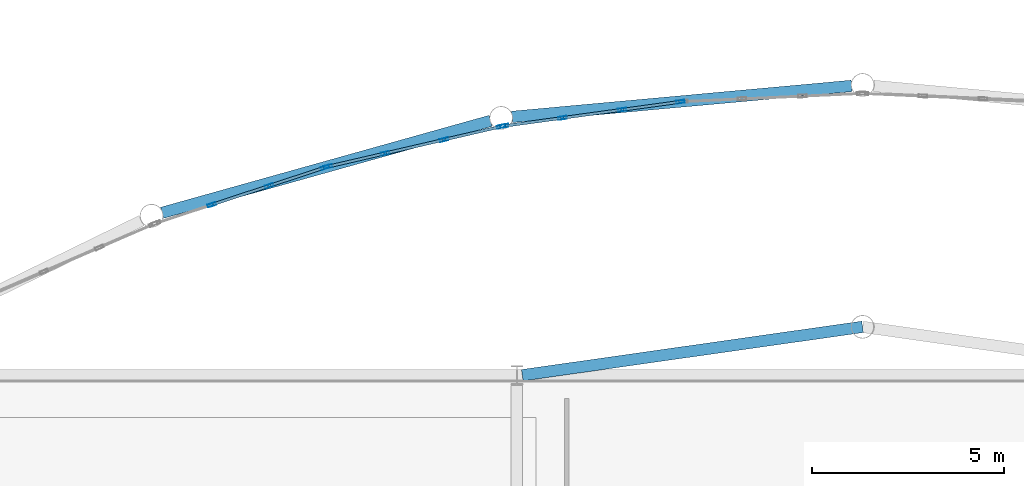
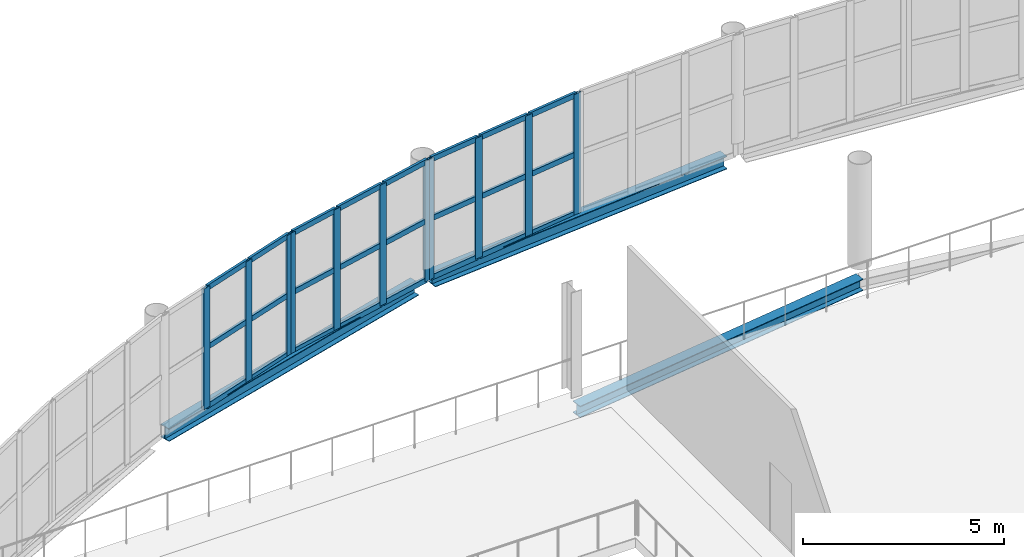
# One storey, part 70 of 134: 35 members, 3 beams, 3 elements without a shape of their own.
"""IFC4 building model written with IfcOpenShell, lengths in metres."""

from ifc_helpers import new_model, si_unit, direction, frame, origin, origin_2d, place, context, subcontext, project, spatial, hollow_rectangle, i_section, extrude, material, layer, layer_set, material_profile, profile_set, type_object, element, aggregate, save


model = new_model("IFC4")

# Units and contexts
model_context = context("Model", 3, precision=1e-05, world=origin(), true_north=direction((0.0, 1.0)))
body_context = subcontext(model_context, "Body", "Model", "MODEL_VIEW")
ifc_project = project(units=[si_unit("LENGTHUNIT", "METRE"), si_unit("AREAUNIT", "SQUARE_METRE"), si_unit("VOLUMEUNIT", "CUBIC_METRE"), si_unit("PLANEANGLEUNIT", "RADIAN"), si_unit("MASSUNIT", "GRAM", prefix="KILO")], contexts=[model_context])

# Site, building, storey
site_placement = place(None, origin())
site = spatial("IfcSite", under=ifc_project, at=site_placement, CompositionType="ELEMENT")
building_placement = place(site_placement, origin())
building = spatial("IfcBuilding", under=site, at=building_placement, Name="Tamarisk Ironworks Central Station", CompositionType="ELEMENT")
storey_placement = place(building_placement, frame((0.0, 0.0, 12.60009765625)))
storey = spatial("IfcBuildingStorey", under=building, at=storey_placement, Name="L02", CompositionType="ELEMENT", Elevation=12.60009765625)

# Beams
ifc_material_1 = material(Name="Structural steel S355J2", Category="steel")
ifc_material_profile_1 = material_profile(ifc_material_1, i_section(OverallWidth=0.300048828125, OverallDepth=0.389892578125, WebThickness=0.010986328125, FlangeThickness=0.01904296875, at=origin_2d()), Name="HEA 400")
ifc_profile_set_1 = profile_set([ifc_material_profile_1], Name="Structural steel S355J2")
beam_type_1 = type_object("IfcBeamType", Name="BM-G07", PredefinedType="BEAM", material=ifc_profile_set_1)
beam_1_placement = place(storey_placement, frame((62.76318359375, 115.829345703125, -0.5751953125), z_axis=(0.962975154525, 0.269590155174, 0.0), x_axis=(-0.269590155174, 0.962975154525, 0.0)))
element("IfcBeam", 1, at=beam_1_placement, inside=storey, type_object=beam_type_1, Name="NN rounded nose L02 chord girder 028", PredefinedType="BEAM", context=body_context, shape_type="SweptSolid", body=[
    extrude(i_section(OverallWidth=0.300048828125, OverallDepth=0.389892578125, WebThickness=0.010986328125, FlangeThickness=0.01904296875, at=origin_2d()), origin(), (0.0, 0.0, 1.0), 8.88037109375),
])
beam_2_placement = place(storey_placement, frame((71.872802734375, 118.326171875, -0.5751953125), z_axis=(0.995863406654, 0.090862947823, 0.0), x_axis=(-0.090862947823, 0.995863406654, 0.0)))
element("IfcBeam", 2, at=beam_2_placement, inside=storey, type_object=beam_type_1, Name="NN rounded nose L02 chord girder 030", PredefinedType="BEAM", context=body_context, shape_type="SweptSolid", body=[
    extrude(i_section(OverallWidth=0.300048828125, OverallDepth=0.389892578125, WebThickness=0.010986328125, FlangeThickness=0.01904296875, at=origin_2d()), origin(), (0.0, 0.0, 1.0), 8.880126953125),
])
ifc_material_profile_2 = material_profile(ifc_material_1, i_section(OverallWidth=0.300048828125, OverallDepth=0.35009765625, WebThickness=0.010009765625, FlangeThickness=0.017578125, at=origin_2d()), Name="HEA 360")
ifc_profile_set_2 = profile_set([ifc_material_profile_2], Name="Structural steel S355J2")
beam_type_2 = type_object("IfcBeamType", Name="BM-G08", PredefinedType="BEAM", material=ifc_profile_set_2)
beam_3_placement = place(storey_placement, frame((72.139892578125, 111.60009765625, -0.580078125), z_axis=(0.990038775739, 0.140794966289, 0.0), x_axis=(-0.140794966289, 0.990038775739, 0.0)))
element("IfcBeam", 3, at=beam_3_placement, inside=storey, type_object=beam_type_2, Name="NN arch crown tie beam 039", PredefinedType="BEAM", context=body_context, shape_type="SweptSolid", body=[
    extrude(i_section(OverallWidth=0.300048828125, OverallDepth=0.35009765625, WebThickness=0.010009765625, FlangeThickness=0.017578125, at=origin_2d()), origin(), (0.0, 0.0, 1.0), 8.94921875),
])

# Curtain wall, members
ifc_material_2 = material(Name="Anodized aluminium alloy 6063-T6", Category="aluminium")
ifc_layer = layer(ifc_material_2, 0.179931640625)
ifc_layer_set = layer_set([ifc_layer], Name="Anodized aluminium alloy 6063-T6")
curtain_wall_type = type_object("IfcCurtainWallType", Name="CW-03", PredefinedType="USERDEFINED", material=ifc_layer_set)
curtain_wall_1_placement = place(storey_placement, origin())
curtain_wall_1 = element("IfcCurtainWall", 4, at=curtain_wall_1_placement, inside=storey, type_object=curtain_wall_type, Name="NN rounded entrance hall L02 curtain wall bay 03", ObjectType="GLAZED CURTAIN WALL", PredefinedType="USERDEFINED")
ifc_material_profile_3 = material_profile(ifc_material_2, hollow_rectangle(XDim=0.074951171875, YDim=0.219970703125, WallThickness=0.00390625, at=origin_2d()), Name="ALUM 220x75")
ifc_profile_set_3 = profile_set([ifc_material_profile_3], Name="Anodized aluminium alloy 6063-T6")
member_type_1 = type_object("IfcMemberType", Name="CWM-01", PredefinedType="MULLION", material=ifc_profile_set_3)
member_1_placement = place(storey_placement, frame((64.05908203125, 116.038818359375, -0.385009765625), z_axis=(0.0, 0.0, 1.0), x_axis=(-0.313098460171, 0.949720671692, 0.0)))
member_1 = element("IfcMember", 5, at=member_1_placement, type_object=member_type_1, Name="CW03 mullion 2", PredefinedType="MULLION", context=body_context, shape_type="SweptSolid", body=[
    extrude(hollow_rectangle(XDim=0.074951171875, YDim=0.219970703125, WallThickness=0.00390625, at=origin_2d()), origin(), (0.0, 0.0, 1.0), 3.664794921875),
])
member_2_placement = place(storey_placement, frame((65.550048828125, 116.530517578125, -0.385009765625), z_axis=(0.0, 0.0, 1.0), x_axis=(-0.313098460171, 0.949720671692, 0.0)))
member_2 = element("IfcMember", 6, at=member_2_placement, type_object=member_type_1, Name="CW03 mullion 3", PredefinedType="MULLION", context=body_context, shape_type="SweptSolid", body=[
    extrude(hollow_rectangle(XDim=0.074951171875, YDim=0.219970703125, WallThickness=0.00390625, at=origin_2d()), origin(), (0.0, 0.0, 1.0), 3.664794921875),
])
member_3_placement = place(storey_placement, frame((67.00537109375, 117.01025390625, -0.385009765625), z_axis=(0.0, 0.0, 1.0), x_axis=(-0.313098460171, 0.949720671692, 0.0)))
member_3 = element("IfcMember", 7, at=member_3_placement, type_object=member_type_1, Name="CW03 mullion 4", PredefinedType="MULLION", context=body_context, shape_type="SweptSolid", body=[
    extrude(hollow_rectangle(XDim=0.074951171875, YDim=0.219970703125, WallThickness=0.00390625, at=origin_2d()), origin(), (0.0, 0.0, 1.0), 3.664794921875),
])

curtain_wall_2_placement = place(storey_placement, origin())
curtain_wall_2 = element("IfcCurtainWall", 8, at=curtain_wall_2_placement, inside=storey, type_object=curtain_wall_type, Name="NN rounded entrance hall L02 curtain wall bay 04", ObjectType="GLAZED CURTAIN WALL", PredefinedType="USERDEFINED")
member_4_placement = place(storey_placement, frame((67.07763671875, 117.030517578125, -0.385009765625), z_axis=(0.0, 0.0, 1.0), x_axis=(-0.225516966506, 0.974239240545, 0.0)))
member_4 = element("IfcMember", 9, at=member_4_placement, type_object=member_type_1, Name="CW03 mullion 1", PredefinedType="MULLION", context=body_context, shape_type="SweptSolid", body=[
    extrude(hollow_rectangle(XDim=0.074951171875, YDim=0.219970703125, WallThickness=0.00390625, at=origin_2d()), origin(), (0.0, 0.0, 1.0), 3.664794921875),
])
member_5_placement = place(storey_placement, frame((68.570556640625, 117.3759765625, -0.385009765625), z_axis=(0.0, 0.0, 1.0), x_axis=(-0.225516966506, 0.974239240545, 0.0)))
member_5 = element("IfcMember", 10, at=member_5_placement, type_object=member_type_1, Name="CW03 mullion 2", PredefinedType="MULLION", context=body_context, shape_type="SweptSolid", body=[
    extrude(hollow_rectangle(XDim=0.074951171875, YDim=0.219970703125, WallThickness=0.00390625, at=origin_2d()), origin(), (0.0, 0.0, 1.0), 3.664794921875),
])
member_6_placement = place(storey_placement, frame((70.099853515625, 117.72998046875, -0.385009765625), z_axis=(0.0, 0.0, 1.0), x_axis=(-0.225516966506, 0.974239240545, 0.0)))
member_6 = element("IfcMember", 11, at=member_6_placement, type_object=member_type_1, Name="CW03 mullion 3", PredefinedType="MULLION", context=body_context, shape_type="SweptSolid", body=[
    extrude(hollow_rectangle(XDim=0.074951171875, YDim=0.219970703125, WallThickness=0.00390625, at=origin_2d()), origin(), (0.0, 0.0, 1.0), 3.664794921875),
])
member_7_placement = place(storey_placement, frame((71.5927734375, 118.07568359375, -0.385009765625), z_axis=(0.0, 0.0, 1.0), x_axis=(-0.225516966506, 0.974239240545, 0.0)))
member_7 = element("IfcMember", 12, at=member_7_placement, type_object=member_type_1, Name="CW03 mullion 4", PredefinedType="MULLION", context=body_context, shape_type="SweptSolid", body=[
    extrude(hollow_rectangle(XDim=0.074951171875, YDim=0.219970703125, WallThickness=0.00390625, at=origin_2d()), origin(), (0.0, 0.0, 1.0), 3.664794921875),
])

curtain_wall_3_placement = place(storey_placement, origin())
curtain_wall_3 = element("IfcCurtainWall", 13, at=curtain_wall_3_placement, inside=storey, type_object=curtain_wall_type, Name="NN rounded entrance hall L02 curtain wall bay 05", ObjectType="GLAZED CURTAIN WALL", PredefinedType="USERDEFINED")
member_8_placement = place(storey_placement, frame((71.66650390625, 118.089111328125, -0.385009765625), z_axis=(0.0, 0.0, 1.0), x_axis=(-0.136041725218, 0.990703108403, 0.0)))
member_8 = element("IfcMember", 14, at=member_8_placement, type_object=member_type_1, Name="CW03 mullion 1", PredefinedType="MULLION", context=body_context, shape_type="SweptSolid", body=[
    extrude(hollow_rectangle(XDim=0.074951171875, YDim=0.219970703125, WallThickness=0.00390625, at=origin_2d()), origin(), (0.0, 0.0, 1.0), 3.664794921875),
])
member_9_placement = place(storey_placement, frame((73.1845703125, 118.297607421875, -0.385009765625), z_axis=(0.0, 0.0, 1.0), x_axis=(-0.136041725218, 0.990703108403, 0.0)))
member_9 = element("IfcMember", 15, at=member_9_placement, type_object=member_type_1, Name="CW03 mullion 2", PredefinedType="MULLION", context=body_context, shape_type="SweptSolid", body=[
    extrude(hollow_rectangle(XDim=0.074951171875, YDim=0.219970703125, WallThickness=0.00390625, at=origin_2d()), origin(), (0.0, 0.0, 1.0), 3.664794921875),
])
member_10_placement = place(storey_placement, frame((74.739990234375, 118.51123046875, -0.385009765625), z_axis=(0.0, 0.0, 1.0), x_axis=(-0.136041725218, 0.990703108403, 0.0)))
member_10 = element("IfcMember", 16, at=member_10_placement, type_object=member_type_1, Name="CW03 mullion 3", PredefinedType="MULLION", context=body_context, shape_type="SweptSolid", body=[
    extrude(hollow_rectangle(XDim=0.074951171875, YDim=0.219970703125, WallThickness=0.00390625, at=origin_2d()), origin(), (0.0, 0.0, 1.0), 3.664794921875),
])
member_11_placement = place(storey_placement, frame((76.258056640625, 118.7197265625, -0.385009765625), z_axis=(0.0, 0.0, 1.0), x_axis=(-0.136041725218, 0.990703108403, 0.0)))
member_11 = element("IfcMember", 17, at=member_11_placement, type_object=member_type_1, Name="CW03 mullion 4", PredefinedType="MULLION", context=body_context, shape_type="SweptSolid", body=[
    extrude(hollow_rectangle(XDim=0.074951171875, YDim=0.219970703125, WallThickness=0.00390625, at=origin_2d()), origin(), (0.0, 0.0, 1.0), 3.664794921875),
])

# Member
ifc_material_profile_4 = material_profile(ifc_material_2, hollow_rectangle(XDim=0.074951171875, YDim=0.159912109375, WallThickness=0.00390625, at=origin_2d()), Name="ALUM 160x75")
ifc_profile_set_4 = profile_set([ifc_material_profile_4], Name="Anodized aluminium alloy 6063-T6")
member_type_2 = type_object("IfcMemberType", Name="CWT-01", PredefinedType="USERDEFINED", material=ifc_profile_set_4)
member_12_placement = place(storey_placement, frame((64.091064453125, 116.04931640625, -0.34765625), z_axis=(0.949685679296, 0.313204582566, 0.0), x_axis=(-0.313204582566, 0.949685679296, 0.0)))
member_12 = element("IfcMember", 18, at=member_12_placement, type_object=member_type_2, Name="CW03 transom 2.1", ObjectType="TRANSOM", PredefinedType="USERDEFINED", context=body_context, shape_type="SweptSolid", body=[
    extrude(hollow_rectangle(XDim=0.074951171875, YDim=0.159912109375, WallThickness=0.00390625, at=origin_2d()), origin(), (0.0, 0.0, 1.0), 1.5029296875),
])

member_13_placement = place(storey_placement, frame((64.091064453125, 116.04931640625, 1.447509765625), z_axis=(0.949685679296, 0.313204582566, 0.0), x_axis=(-0.313204582566, 0.949685679296, 0.0)))
member_13 = element("IfcMember", 19, at=member_13_placement, type_object=member_type_2, Name="CW03 transom 2.2", ObjectType="TRANSOM", PredefinedType="USERDEFINED", context=body_context, shape_type="SweptSolid", body=[
    extrude(hollow_rectangle(XDim=0.074951171875, YDim=0.159912109375, WallThickness=0.00390625, at=origin_2d()), origin(), (0.0, 0.0, 1.0), 1.5029296875),
])

member_14_placement = place(storey_placement, frame((64.091064453125, 116.04931640625, 3.242431640625), z_axis=(0.949685679296, 0.313204582566, 0.0), x_axis=(-0.313204582566, 0.949685679296, 0.0)))
member_14 = element("IfcMember", 20, at=member_14_placement, type_object=member_type_2, Name="CW03 transom 2.3", ObjectType="TRANSOM", PredefinedType="USERDEFINED", context=body_context, shape_type="SweptSolid", body=[
    extrude(hollow_rectangle(XDim=0.074951171875, YDim=0.159912109375, WallThickness=0.00390625, at=origin_2d()), origin(), (0.0, 0.0, 1.0), 1.5029296875),
])

member_15_placement = place(storey_placement, frame((65.58203125, 116.541015625, -0.34765625), z_axis=(0.949727770531, 0.313076926461, 0.0), x_axis=(-0.313076926461, 0.949727770531, 0.0)))
member_15 = element("IfcMember", 21, at=member_15_placement, type_object=member_type_2, Name="CW03 transom 3.1", ObjectType="TRANSOM", PredefinedType="USERDEFINED", context=body_context, shape_type="SweptSolid", body=[
    extrude(hollow_rectangle(XDim=0.074951171875, YDim=0.159912109375, WallThickness=0.00390625, at=origin_2d()), origin(), (0.0, 0.0, 1.0), 1.46533203125),
])

member_16_placement = place(storey_placement, frame((65.58203125, 116.541015625, 1.447509765625), z_axis=(0.949727770531, 0.313076926461, 0.0), x_axis=(-0.313076926461, 0.949727770531, 0.0)))
member_16 = element("IfcMember", 22, at=member_16_placement, type_object=member_type_2, Name="CW03 transom 3.2", ObjectType="TRANSOM", PredefinedType="USERDEFINED", context=body_context, shape_type="SweptSolid", body=[
    extrude(hollow_rectangle(XDim=0.074951171875, YDim=0.159912109375, WallThickness=0.00390625, at=origin_2d()), origin(), (0.0, 0.0, 1.0), 1.46533203125),
])

member_17_placement = place(storey_placement, frame((65.58203125, 116.541015625, 3.242431640625), z_axis=(0.949727770531, 0.313076926461, 0.0), x_axis=(-0.313076926461, 0.949727770531, 0.0)))
member_17 = element("IfcMember", 23, at=member_17_placement, type_object=member_type_2, Name="CW03 transom 3.3", ObjectType="TRANSOM", PredefinedType="USERDEFINED", context=body_context, shape_type="SweptSolid", body=[
    extrude(hollow_rectangle(XDim=0.074951171875, YDim=0.159912109375, WallThickness=0.00390625, at=origin_2d()), origin(), (0.0, 0.0, 1.0), 1.46533203125),
])

aggregate(curtain_wall_1, [member_1, member_2, member_3, member_12, member_13, member_14, member_15, member_16, member_17])

member_18_placement = place(storey_placement, frame((67.1103515625, 117.0380859375, -0.34765625), z_axis=(0.974256222879, 0.225443589799, 0.0), x_axis=(-0.225443589799, 0.974256222879, 0.0)))
member_18 = element("IfcMember", 24, at=member_18_placement, type_object=member_type_2, Name="CW03 transom 1.1", ObjectType="TRANSOM", PredefinedType="USERDEFINED", context=body_context, shape_type="SweptSolid", body=[
    extrude(hollow_rectangle(XDim=0.074951171875, YDim=0.159912109375, WallThickness=0.00390625, at=origin_2d()), origin(), (0.0, 0.0, 1.0), 1.46533203125),
])

member_19_placement = place(storey_placement, frame((67.1103515625, 117.0380859375, 1.447509765625), z_axis=(0.974256222879, 0.225443589799, 0.0), x_axis=(-0.225443589799, 0.974256222879, 0.0)))
member_19 = element("IfcMember", 25, at=member_19_placement, type_object=member_type_2, Name="CW03 transom 1.2", ObjectType="TRANSOM", PredefinedType="USERDEFINED", context=body_context, shape_type="SweptSolid", body=[
    extrude(hollow_rectangle(XDim=0.074951171875, YDim=0.159912109375, WallThickness=0.00390625, at=origin_2d()), origin(), (0.0, 0.0, 1.0), 1.46533203125),
])

member_20_placement = place(storey_placement, frame((67.1103515625, 117.0380859375, 3.242431640625), z_axis=(0.974256222879, 0.225443589799, 0.0), x_axis=(-0.225443589799, 0.974256222879, 0.0)))
member_20 = element("IfcMember", 26, at=member_20_placement, type_object=member_type_2, Name="CW03 transom 1.3", ObjectType="TRANSOM", PredefinedType="USERDEFINED", context=body_context, shape_type="SweptSolid", body=[
    extrude(hollow_rectangle(XDim=0.074951171875, YDim=0.159912109375, WallThickness=0.00390625, at=origin_2d()), origin(), (0.0, 0.0, 1.0), 1.46533203125),
])

member_21_placement = place(storey_placement, frame((68.603271484375, 117.383544921875, -0.34765625), z_axis=(0.974245878003, 0.22548829059, 0.0), x_axis=(-0.22548829059, 0.974245878003, 0.0)))
member_21 = element("IfcMember", 27, at=member_21_placement, type_object=member_type_2, Name="CW03 transom 2.1", ObjectType="TRANSOM", PredefinedType="USERDEFINED", context=body_context, shape_type="SweptSolid", body=[
    extrude(hollow_rectangle(XDim=0.074951171875, YDim=0.159912109375, WallThickness=0.00390625, at=origin_2d()), origin(), (0.0, 0.0, 1.0), 1.5029296875),
])

member_22_placement = place(storey_placement, frame((68.603271484375, 117.383544921875, 1.447509765625), z_axis=(0.974245878003, 0.22548829059, 0.0), x_axis=(-0.22548829059, 0.974245878003, 0.0)))
member_22 = element("IfcMember", 28, at=member_22_placement, type_object=member_type_2, Name="CW03 transom 2.2", ObjectType="TRANSOM", PredefinedType="USERDEFINED", context=body_context, shape_type="SweptSolid", body=[
    extrude(hollow_rectangle(XDim=0.074951171875, YDim=0.159912109375, WallThickness=0.00390625, at=origin_2d()), origin(), (0.0, 0.0, 1.0), 1.5029296875),
])

member_23_placement = place(storey_placement, frame((68.603271484375, 117.383544921875, 3.242431640625), z_axis=(0.974245878003, 0.22548829059, 0.0), x_axis=(-0.22548829059, 0.974245878003, 0.0)))
member_23 = element("IfcMember", 29, at=member_23_placement, type_object=member_type_2, Name="CW03 transom 2.3", ObjectType="TRANSOM", PredefinedType="USERDEFINED", context=body_context, shape_type="SweptSolid", body=[
    extrude(hollow_rectangle(XDim=0.074951171875, YDim=0.159912109375, WallThickness=0.00390625, at=origin_2d()), origin(), (0.0, 0.0, 1.0), 1.5029296875),
])

member_24_placement = place(storey_placement, frame((70.132568359375, 117.737548828125, -0.34765625), z_axis=(0.974228092124, 0.225565122561, 0.0), x_axis=(-0.225565122561, 0.974228092124, 0.0)))
member_24 = element("IfcMember", 30, at=member_24_placement, type_object=member_type_2, Name="CW03 transom 3.1", ObjectType="TRANSOM", PredefinedType="USERDEFINED", context=body_context, shape_type="SweptSolid", body=[
    extrude(hollow_rectangle(XDim=0.074951171875, YDim=0.159912109375, WallThickness=0.00390625, at=origin_2d()), origin(), (0.0, 0.0, 1.0), 1.465576171875),
])

member_25_placement = place(storey_placement, frame((70.132568359375, 117.737548828125, 1.447509765625), z_axis=(0.974228092124, 0.225565122561, 0.0), x_axis=(-0.225565122561, 0.974228092124, 0.0)))
member_25 = element("IfcMember", 31, at=member_25_placement, type_object=member_type_2, Name="CW03 transom 3.2", ObjectType="TRANSOM", PredefinedType="USERDEFINED", context=body_context, shape_type="SweptSolid", body=[
    extrude(hollow_rectangle(XDim=0.074951171875, YDim=0.159912109375, WallThickness=0.00390625, at=origin_2d()), origin(), (0.0, 0.0, 1.0), 1.465576171875),
])

member_26_placement = place(storey_placement, frame((70.132568359375, 117.737548828125, 3.242431640625), z_axis=(0.974228092124, 0.225565122561, 0.0), x_axis=(-0.225565122561, 0.974228092124, 0.0)))
member_26 = element("IfcMember", 32, at=member_26_placement, type_object=member_type_2, Name="CW03 transom 3.3", ObjectType="TRANSOM", PredefinedType="USERDEFINED", context=body_context, shape_type="SweptSolid", body=[
    extrude(hollow_rectangle(XDim=0.074951171875, YDim=0.159912109375, WallThickness=0.00390625, at=origin_2d()), origin(), (0.0, 0.0, 1.0), 1.465576171875),
])

aggregate(curtain_wall_2, [member_4, member_5, member_6, member_7, member_18, member_19, member_20, member_21, member_22, member_23, member_24, member_25, member_26])

member_27_placement = place(storey_placement, frame((71.69970703125, 118.09375, -0.34765625), z_axis=(0.990691763938, 0.136124314016, 0.0), x_axis=(-0.136124314016, 0.990691763938, 0.0)))
member_27 = element("IfcMember", 33, at=member_27_placement, type_object=member_type_2, Name="CW03 transom 1.1", ObjectType="TRANSOM", PredefinedType="USERDEFINED", context=body_context, shape_type="SweptSolid", body=[
    extrude(hollow_rectangle(XDim=0.074951171875, YDim=0.159912109375, WallThickness=0.00390625, at=origin_2d()), origin(), (0.0, 0.0, 1.0), 1.46533203125),
])

member_28_placement = place(storey_placement, frame((71.69970703125, 118.09375, 1.447509765625), z_axis=(0.990691763938, 0.136124314016, 0.0), x_axis=(-0.136124314016, 0.990691763938, 0.0)))
member_28 = element("IfcMember", 34, at=member_28_placement, type_object=member_type_2, Name="CW03 transom 1.2", ObjectType="TRANSOM", PredefinedType="USERDEFINED", context=body_context, shape_type="SweptSolid", body=[
    extrude(hollow_rectangle(XDim=0.074951171875, YDim=0.159912109375, WallThickness=0.00390625, at=origin_2d()), origin(), (0.0, 0.0, 1.0), 1.46533203125),
])

member_29_placement = place(storey_placement, frame((71.69970703125, 118.09375, 3.242431640625), z_axis=(0.990691763938, 0.136124314016, 0.0), x_axis=(-0.136124314016, 0.990691763938, 0.0)))
member_29 = element("IfcMember", 35, at=member_29_placement, type_object=member_type_2, Name="CW03 transom 1.3", ObjectType="TRANSOM", PredefinedType="USERDEFINED", context=body_context, shape_type="SweptSolid", body=[
    extrude(hollow_rectangle(XDim=0.074951171875, YDim=0.159912109375, WallThickness=0.00390625, at=origin_2d()), origin(), (0.0, 0.0, 1.0), 1.46533203125),
])

member_30_placement = place(storey_placement, frame((73.2177734375, 118.30224609375, -0.34765625), z_axis=(0.990714153928, 0.135961263623, 0.0), x_axis=(-0.135961263623, 0.990714153928, 0.0)))
member_30 = element("IfcMember", 36, at=member_30_placement, type_object=member_type_2, Name="CW03 transom 2.1", ObjectType="TRANSOM", PredefinedType="USERDEFINED", context=body_context, shape_type="SweptSolid", body=[
    extrude(hollow_rectangle(XDim=0.074951171875, YDim=0.159912109375, WallThickness=0.00390625, at=origin_2d()), origin(), (0.0, 0.0, 1.0), 1.5029296875),
])

member_31_placement = place(storey_placement, frame((73.2177734375, 118.30224609375, 1.447509765625), z_axis=(0.990714153928, 0.135961263623, 0.0), x_axis=(-0.135961263623, 0.990714153928, 0.0)))
member_31 = element("IfcMember", 37, at=member_31_placement, type_object=member_type_2, Name="CW03 transom 2.2", ObjectType="TRANSOM", PredefinedType="USERDEFINED", context=body_context, shape_type="SweptSolid", body=[
    extrude(hollow_rectangle(XDim=0.074951171875, YDim=0.159912109375, WallThickness=0.00390625, at=origin_2d()), origin(), (0.0, 0.0, 1.0), 1.5029296875),
])

member_32_placement = place(storey_placement, frame((73.2177734375, 118.30224609375, 3.242431640625), z_axis=(0.990714153928, 0.135961263623, 0.0), x_axis=(-0.135961263623, 0.990714153928, 0.0)))
member_32 = element("IfcMember", 38, at=member_32_placement, type_object=member_type_2, Name="CW03 transom 2.3", ObjectType="TRANSOM", PredefinedType="USERDEFINED", context=body_context, shape_type="SweptSolid", body=[
    extrude(hollow_rectangle(XDim=0.074951171875, YDim=0.159912109375, WallThickness=0.00390625, at=origin_2d()), origin(), (0.0, 0.0, 1.0), 1.5029296875),
])

member_33_placement = place(storey_placement, frame((74.773193359375, 118.515869140625, -0.34765625), z_axis=(0.990714220165, 0.135960780971, 0.0), x_axis=(-0.135960780971, 0.990714220165, 0.0)))
member_33 = element("IfcMember", 39, at=member_33_placement, type_object=member_type_2, Name="CW03 transom 3.1", ObjectType="TRANSOM", PredefinedType="USERDEFINED", context=body_context, shape_type="SweptSolid", body=[
    extrude(hollow_rectangle(XDim=0.074951171875, YDim=0.159912109375, WallThickness=0.00390625, at=origin_2d()), origin(), (0.0, 0.0, 1.0), 1.46533203125),
])

member_34_placement = place(storey_placement, frame((74.773193359375, 118.515869140625, 1.447509765625), z_axis=(0.990714220165, 0.135960780971, 0.0), x_axis=(-0.135960780971, 0.990714220165, 0.0)))
member_34 = element("IfcMember", 40, at=member_34_placement, type_object=member_type_2, Name="CW03 transom 3.2", ObjectType="TRANSOM", PredefinedType="USERDEFINED", context=body_context, shape_type="SweptSolid", body=[
    extrude(hollow_rectangle(XDim=0.074951171875, YDim=0.159912109375, WallThickness=0.00390625, at=origin_2d()), origin(), (0.0, 0.0, 1.0), 1.46533203125),
])

member_35_placement = place(storey_placement, frame((74.773193359375, 118.515869140625, 3.242431640625), z_axis=(0.990714220165, 0.135960780971, 0.0), x_axis=(-0.135960780971, 0.990714220165, 0.0)))
member_35 = element("IfcMember", 41, at=member_35_placement, type_object=member_type_2, Name="CW03 transom 3.3", ObjectType="TRANSOM", PredefinedType="USERDEFINED", context=body_context, shape_type="SweptSolid", body=[
    extrude(hollow_rectangle(XDim=0.074951171875, YDim=0.159912109375, WallThickness=0.00390625, at=origin_2d()), origin(), (0.0, 0.0, 1.0), 1.46533203125),
])

aggregate(curtain_wall_3, [member_8, member_9, member_10, member_11, member_27, member_28, member_29, member_30, member_31, member_32, member_33, member_34, member_35])

save(model, "model.ifc")
